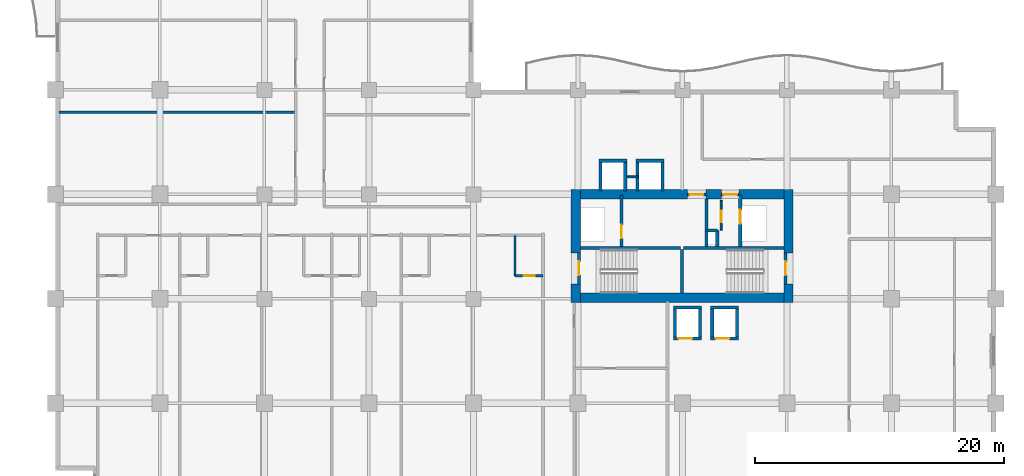
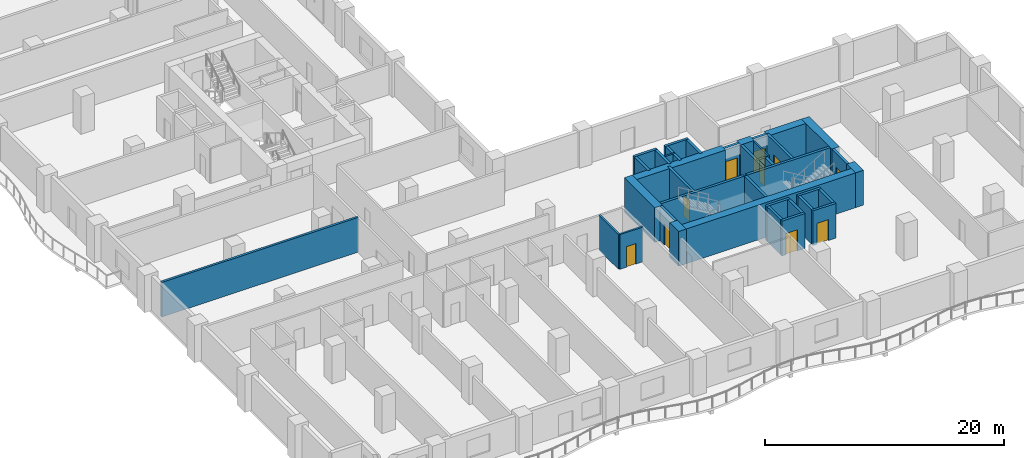
# One storey, part 8 of 20: 39 walls, 10 doors, 10 openings.
"""IFC4 building model written with IfcOpenShell, lengths in metres."""

from ifc_helpers import new_model, si_unit, direction, frame, frame_2d, origin, place, context, subcontext, project, spatial, rectangle, extrude, material, layer, layer_set, type_object, element, fill, save


model = new_model("IFC4")

# Units and contexts
model_context = context("Model", 3, precision=1e-05, world=origin(), true_north=direction((0.0, 1.0)))
body_context = subcontext(model_context, "Body", "Model", "MODEL_VIEW")
ifc_project = project(units=[si_unit("LENGTHUNIT", "METRE"), si_unit("AREAUNIT", "SQUARE_METRE"), si_unit("VOLUMEUNIT", "CUBIC_METRE"), si_unit("PLANEANGLEUNIT", "RADIAN"), si_unit("MASSUNIT", "GRAM", prefix="KILO")], contexts=[model_context])

# Site, building, storey
site_placement = place(None, origin())
site = spatial("IfcSite", under=ifc_project, at=site_placement, CompositionType="ELEMENT")
building_placement = place(site_placement, origin())
building = spatial("IfcBuilding", under=site, at=building_placement, Name="Koriwani Terraces Tower", CompositionType="ELEMENT")
storey_placement = place(building_placement, frame((0.0, 0.0, 126.60009765625)))
storey = spatial("IfcBuildingStorey", under=building, at=storey_placement, Name="L30", CompositionType="ELEMENT", Elevation=126.60009765625)

# Walls
ifc_material_1 = material(Name="Concrete C60/75", Category="concrete")
ifc_layer_1 = layer(ifc_material_1, 0.75, Name="Concrete C60/75")
ifc_layer_set_1 = layer_set([ifc_layer_1], Name="Concrete C60/75")
wall_type_1 = type_object("IfcWallType", Name="WALL_CORE_RC_750", PredefinedType="SHEAR", material=ifc_layer_set_1)
wall_1_placement = place(storey_placement, frame((41.824951171875, 16.5, 0.0), z_axis=(0.0, 0.0, 1.0), x_axis=(0.0, 1.0, 0.0)))
element("IfcWall", 1, at=wall_1_placement, inside=storey, type_object=wall_type_1, Name="L30 East Split Core Shear Wall W1", PredefinedType="SHEAR", context=body_context, shape_type="SweptSolid", body=[
    extrude(rectangle(XDim=1.5, YDim=0.75, at=frame_2d((0.75, 0.0))), origin(), (0.0, 0.0, 1.0), 3.5498046875),
])
wall_2_placement = place(storey_placement, frame((41.824951171875, 20.5, 0.0), z_axis=(0.0, 0.0, 1.0), x_axis=(0.0, 1.0, 0.0)))
element("IfcWall", 2, at=wall_2_placement, inside=storey, type_object=wall_type_1, Name="L30 East Split Core Shear Wall W2", PredefinedType="SHEAR", context=body_context, shape_type="SweptSolid", body=[
    extrude(rectangle(XDim=5.074951171875, YDim=0.75, at=frame_2d((2.53759765625, 0.0))), origin(), (0.0, 0.0, 1.0), 3.5498046875),
])
wall_3_placement = place(storey_placement, frame((58.925048828125, 16.5, 0.0), z_axis=(0.0, 0.0, 1.0), x_axis=(0.0, 1.0, 0.0)))
element("IfcWall", 3, at=wall_3_placement, inside=storey, type_object=wall_type_1, Name="L30 East Split Core Shear Wall E1", PredefinedType="SHEAR", context=body_context, shape_type="SweptSolid", body=[
    extrude(rectangle(XDim=1.5, YDim=0.75, at=frame_2d((0.75, 0.0))), origin(), (0.0, 0.0, 1.0), 3.5498046875),
])
wall_4_placement = place(storey_placement, frame((58.925048828125, 20.5, 0.0), z_axis=(0.0, 0.0, 1.0), x_axis=(0.0, 1.0, 0.0)))
element("IfcWall", 4, at=wall_4_placement, inside=storey, type_object=wall_type_1, Name="L30 East Split Core Shear Wall E2", PredefinedType="SHEAR", context=body_context, shape_type="SweptSolid", body=[
    extrude(rectangle(XDim=5.074951171875, YDim=0.75, at=frame_2d((2.53759765625, 0.0))), origin(), (0.0, 0.0, 1.0), 3.5498046875),
])
wall_5_placement = place(storey_placement, frame((42.199951171875, 16.875, 0.0), z_axis=(0.0, 0.0, 1.0), x_axis=(1.0, 0.0, 0.0)))
element("IfcWall", 5, at=wall_5_placement, inside=storey, type_object=wall_type_1, Name="L30 East Split Core Shear Wall S1", PredefinedType="SHEAR", context=body_context, shape_type="SweptSolid", body=[
    extrude(rectangle(XDim=16.35009765625, YDim=0.75, at=frame_2d((8.175048828125, 0.0))), origin(), (0.0, 0.0, 1.0), 3.5498046875),
])
wall_6_placement = place(storey_placement, frame((42.199951171875, 25.199951171875, 0.0), z_axis=(0.0, 0.0, 1.0), x_axis=(1.0, 0.0, 0.0)))
element("IfcWall", 6, at=wall_6_placement, inside=storey, type_object=wall_type_1, Name="L30 East Split Core Shear Wall N1", PredefinedType="SHEAR", context=body_context, shape_type="SweptSolid", body=[
    extrude(rectangle(XDim=8.60009765625, YDim=0.75, at=frame_2d((4.300048828125, 0.0))), origin(), (0.0, 0.0, 1.0), 3.5498046875),
])
wall_7_placement = place(storey_placement, frame((52.280029296875, 25.199951171875, 0.0), z_axis=(0.0, 0.0, 1.0), x_axis=(1.0, 0.0, 0.0)))
element("IfcWall", 7, at=wall_7_placement, inside=storey, type_object=wall_type_1, Name="L30 East Split Core Shear Wall N2", PredefinedType="SHEAR", context=body_context, shape_type="SweptSolid", body=[
    extrude(rectangle(XDim=1.27001953125, YDim=0.75, at=frame_2d((0.635009765625, 0.0))), origin(), (0.0, 0.0, 1.0), 3.5498046875),
])
wall_8_placement = place(storey_placement, frame((54.949951171875, 25.199951171875, 0.0), z_axis=(0.0, 0.0, 1.0), x_axis=(1.0, 0.0, 0.0)))
element("IfcWall", 8, at=wall_8_placement, inside=storey, type_object=wall_type_1, Name="L30 East Split Core Shear Wall N3", PredefinedType="SHEAR", context=body_context, shape_type="SweptSolid", body=[
    extrude(rectangle(XDim=3.60009765625, YDim=0.75, at=frame_2d((1.800048828125, 0.0))), origin(), (0.0, 0.0, 1.0), 3.5498046875),
])
ifc_material_2 = material(Name="Autoclaved Cellular Concrete Blockwork", Category="masonry")
ifc_layer_2 = layer(ifc_material_2, 0.219970703125, Name="Autoclaved Cellular Concrete Blockwork")
ifc_layer_set_2 = layer_set([ifc_layer_2], Name="Autoclaved Cellular Concrete Blockwork")
wall_type_2 = type_object("IfcWallType", Name="WALL_DEMISING_220", PredefinedType="PARTITIONING", material=ifc_layer_set_2)
wall_9_placement = place(storey_placement, frame((0.300048828125, 31.800048828125, 0.0), z_axis=(0.0, 0.0, 1.0), x_axis=(1.0, 0.0, 0.0)))
element("IfcWall", 9, at=wall_9_placement, inside=storey, type_object=wall_type_2, Name="L30 Interior Wall WC2NWCLM-L30", PredefinedType="PARTITIONING", context=body_context, shape_type="SweptSolid", body=[
    extrude(rectangle(XDim=19.0, YDim=0.219970703125, at=frame_2d((9.5, 0.0))), origin(), (0.0, 0.0, 1.0), 3.5498046875),
])

# Wall, opening, door
ifc_material_3 = material(Name="Fire-Rated Acoustic Gypsum Partition", Category="masonry")
ifc_layer_3 = layer(ifc_material_3, 0.179931640625, Name="Fire-Rated Acoustic Gypsum Partition")
ifc_layer_set_3 = layer_set([ifc_layer_3], Name="Fire-Rated Acoustic Gypsum Partition")
wall_type_3 = type_object("IfcWallType", Name="WALL_PLUMBING_180", PredefinedType="PLUMBINGWALL", material=ifc_layer_set_3)
wall_10_placement = place(storey_placement, frame((36.949951171875, 18.64990234375, 0.0), z_axis=(0.0, 0.0, 1.0), x_axis=(1.0, 0.0, 0.0)))
wall_10 = element("IfcWall", 10, at=wall_10_placement, inside=storey, type_object=wall_type_3, Name="L30 Interior Wall WBTH1-L30-SW-5", PredefinedType="PLUMBINGWALL", context=body_context, shape_type="SweptSolid", body=[
    extrude(rectangle(XDim=2.25, YDim=0.179931640625, at=frame_2d((1.125, 0.0))), origin(), (0.0, 0.0, 1.0), 3.5498046875),
])
opening_1_placement = place(wall_10_placement, frame((0.675048828125, 0.0, 0.0)))
opening_1 = element("IfcOpeningElement", 11, at=opening_1_placement, cuts=wall_10, Name="Opening D-07", PredefinedType="OPENING", context=body_context, shape_type="SweptSolid", body=[
    extrude(rectangle(XDim=0.89990234375, YDim=2.10009765625, at=frame_2d((0.449951171875, 1.050048828125))), frame((0.0, 0.10009765625, 0.0), z_axis=(0.0, -1.0, 0.0), x_axis=(1.0, 0.0, 0.0)), (0.0, 0.0, 1.0), 0.199951171875),
])
ifc_material_4 = material(Name="Architectural Oak Fire Door", Category="wood")
door_type_1 = type_object("IfcDoorType", Name="DOOR_BATH_INT_900X2100", OperationType="NOTDEFINED", PredefinedType="DOOR", material=ifc_material_4)
door_1_placement = place(opening_1_placement, origin())
door_1 = element("IfcDoor", 12, at=door_1_placement, inside=storey, type_object=door_type_1, Name="En-Suite Bathroom 30SW6 Door", OperationType="SINGLE_SWING_LEFT", OverallHeight=2.10009765625, OverallWidth=0.89990234375, PredefinedType="DOOR", context=body_context, shape_type="SweptSolid", body=[
    extrude(rectangle(XDim=0.89990234375, YDim=2.10009765625, at=frame_2d((0.449951171875, 1.050048828125))), frame((0.0, 0.02490234375, 0.0), z_axis=(0.0, -1.0, 0.0), x_axis=(1.0, 0.0, 0.0)), (0.0, 0.0, 1.0), 0.050048828125),
])
fill(opening_1, door_1)

# Walls
wall_11_placement = place(storey_placement, frame((36.949951171875, 18.64990234375, 0.0), z_axis=(0.0, 0.0, 1.0), x_axis=(0.0, 1.0, 0.0)))
element("IfcWall", 13, at=wall_11_placement, inside=storey, type_object=wall_type_3, Name="L30 Interior Wall WBTH2-L30-SW-5", PredefinedType="PLUMBINGWALL", context=body_context, shape_type="SweptSolid", body=[
    extrude(rectangle(XDim=3.25, YDim=0.179931640625, at=frame_2d((1.625, 0.0))), origin(), (0.0, 0.0, 1.0), 3.5498046875),
])
ifc_material_5 = material(Name="Concrete C40/50", Category="concrete")
ifc_layer_4 = layer(ifc_material_5, 0.25, Name="Concrete C40/50")
ifc_layer_set_4 = layer_set([ifc_layer_4], Name="Concrete C40/50")
wall_type_4 = type_object("IfcWallType", Name="WALL_SHAFT_RATED_250", PredefinedType="SOLIDWALL", material=ifc_layer_set_4)
for number, where, z_axis, x_axis, name in (
    (14, (42.199951171875, 20.875, 0.0), (0.0, 0.0, 1.0), (1.0, 0.0, 0.0), "L30 East Split Core Web Wall MID1"),
    (15, (50.5, 20.875, 0.0), (0.0, 0.0, 1.0), (1.0, 0.0, 0.0), "L30 East Split Core Web Wall MID2"),
):
    element("IfcWall", number, at=place(storey_placement, frame(where, z_axis=z_axis, x_axis=x_axis)), inside=storey, type_object=wall_type_4, Name=name, PredefinedType="SOLIDWALL", context=body_context, shape_type="SweptSolid", body=[
        extrude(rectangle(XDim=8.050048828125, YDim=0.25, at=frame_2d((4.02490234375, 0.0))), origin(), (0.0, 0.0, 1.0), 3.5498046875),
    ])
wall_12_placement = place(storey_placement, frame((50.375, 17.25, 0.0), z_axis=(0.0, 0.0, 1.0), x_axis=(0.0, 1.0, 0.0)))
element("IfcWall", 16, at=wall_12_placement, inside=storey, type_object=wall_type_4, Name="L30 East Split Core Stair Dividing Wall", PredefinedType="SOLIDWALL", context=body_context, shape_type="SweptSolid", body=[
    extrude(rectangle(XDim=3.5, YDim=0.25, at=frame_2d((1.75, 0.0))), origin(), (0.0, 0.0, 1.0), 3.5498046875),
])

# Wall, opening, door
wall_13_placement = place(storey_placement, frame((42.074951171875, 18.0, 0.0), z_axis=(0.0, 0.0, 1.0), x_axis=(0.0, 1.0, 0.0)))
wall_13 = element("IfcWall", 17, at=wall_13_placement, inside=storey, type_object=wall_type_4, Name="L30 Interior Wall WIN-CE-L30-STW", PredefinedType="SOLIDWALL", context=body_context, shape_type="SweptSolid", body=[
    extrude(rectangle(XDim=2.5, YDim=0.25, at=frame_2d((1.25, 0.0))), origin(), (0.0, 0.0, 1.0), 3.5498046875),
])
opening_2_placement = place(wall_13_placement, frame((0.699951171875, 0.0, 0.0)))
opening_2 = element("IfcOpeningElement", 18, at=opening_2_placement, cuts=wall_13, Name="Opening D-03", PredefinedType="OPENING", context=body_context, shape_type="SweptSolid", body=[
    extrude(rectangle(XDim=1.10009765625, YDim=2.14990234375, at=frame_2d((0.550048828125, 1.074951171875))), frame((0.0, 0.135009765625, 0.0), z_axis=(0.0, -1.0, 0.0), x_axis=(1.0, 0.0, 0.0)), (0.0, 0.0, 1.0), 0.27001953125),
])
ifc_material_6 = material(Name="Steel ASTM A572 Grade 50", Category="steel")
door_type_2 = type_object("IfcDoorType", Name="DOOR_STAIR_FIRE_1100X2150", OperationType="NOTDEFINED", PredefinedType="DOOR", material=ifc_material_6)
door_2_placement = place(opening_2_placement, origin())
door_2 = element("IfcDoor", 19, at=door_2_placement, inside=storey, type_object=door_type_2, Name="L30 Exit Stair ST-E1 Door", OperationType="SINGLE_SWING_LEFT", OverallHeight=2.14990234375, OverallWidth=1.10009765625, PredefinedType="DOOR", context=body_context, shape_type="SweptSolid", body=[
    extrude(rectangle(XDim=1.10009765625, YDim=2.14990234375, at=frame_2d((0.550048828125, 1.074951171875))), frame((0.0, 0.02490234375, 0.0), z_axis=(0.0, -1.0, 0.0), x_axis=(1.0, 0.0, 0.0)), (0.0, 0.0, 1.0), 0.050048828125),
])
fill(opening_2, door_2)

wall_14_placement = place(storey_placement, frame((58.675048828125, 18.0, 0.0), z_axis=(0.0, 0.0, 1.0), x_axis=(0.0, 1.0, 0.0)))
wall_14 = element("IfcWall", 20, at=wall_14_placement, inside=storey, type_object=wall_type_4, Name="L30 Interior Wall WIN-CE-L30-STE", PredefinedType="SOLIDWALL", context=body_context, shape_type="SweptSolid", body=[
    extrude(rectangle(XDim=2.5, YDim=0.25, at=frame_2d((1.25, 0.0))), origin(), (0.0, 0.0, 1.0), 3.5498046875),
])
opening_3_placement = place(wall_14_placement, frame((0.699951171875, 0.0, 0.0)))
opening_3 = element("IfcOpeningElement", 21, at=opening_3_placement, cuts=wall_14, Name="Opening D-03", PredefinedType="OPENING", context=body_context, shape_type="SweptSolid", body=[
    extrude(rectangle(XDim=1.10009765625, YDim=2.14990234375, at=frame_2d((0.550048828125, 1.074951171875))), frame((0.0, 0.135009765625, 0.0), z_axis=(0.0, -1.0, 0.0), x_axis=(1.0, 0.0, 0.0)), (0.0, 0.0, 1.0), 0.27001953125),
])
door_3_placement = place(opening_3_placement, origin())
door_3 = element("IfcDoor", 22, at=door_3_placement, inside=storey, type_object=door_type_2, Name="L30 Exit Stair ST-E2 Door", OperationType="SINGLE_SWING_RIGHT", OverallHeight=2.14990234375, OverallWidth=1.10009765625, PredefinedType="DOOR", context=body_context, shape_type="SweptSolid", body=[
    extrude(rectangle(XDim=1.10009765625, YDim=2.14990234375, at=frame_2d((0.550048828125, 1.074951171875))), frame((0.0, 0.02490234375, 0.0), z_axis=(0.0, -1.0, 0.0), x_axis=(1.0, 0.0, 0.0)), (0.0, 0.0, 1.0), 0.050048828125),
])
fill(opening_3, door_3)

wall_15_placement = place(storey_placement, frame((45.5, 21.0, 0.0), z_axis=(0.0, 0.0, 1.0), x_axis=(0.0, 1.0, 0.0)))
wall_15 = element("IfcWall", 23, at=wall_15_placement, inside=storey, type_object=wall_type_4, Name="L30 Interior Wall WIN-CE-L30-FE", PredefinedType="SOLIDWALL", context=body_context, shape_type="SweptSolid", body=[
    extrude(rectangle(XDim=4.14990234375, YDim=0.25, at=frame_2d((2.074951171875, 0.0))), origin(), (0.0, 0.0, 1.0), 3.5498046875),
])
opening_4_placement = place(wall_15_placement, frame((0.64990234375, 0.0, 0.0)))
opening_4 = element("IfcOpeningElement", 24, at=opening_4_placement, cuts=wall_15, Name="Opening LD-01", PredefinedType="OPENING", context=body_context, shape_type="SweptSolid", body=[
    extrude(rectangle(XDim=1.10009765625, YDim=2.14990234375, at=frame_2d((0.550048828125, 1.074951171875))), frame((0.0, 0.135009765625, 0.0), z_axis=(0.0, -1.0, 0.0), x_axis=(1.0, 0.0, 0.0)), (0.0, 0.0, 1.0), 0.27001953125),
])
door_type_3 = type_object("IfcDoorType", Name="DOOR_LIFT_LANDING_1100X2200", OperationType="NOTDEFINED", PredefinedType="DOOR", material=ifc_material_6)
door_4_placement = place(opening_4_placement, origin())
door_4 = element("IfcDoor", 25, at=door_4_placement, inside=storey, type_object=door_type_3, Name="L30 Firefighting Lift FE-02 Landing Door", OperationType="SLIDING_TO_LEFT", OverallHeight=2.14990234375, OverallWidth=1.10009765625, PredefinedType="DOOR", context=body_context, shape_type="SweptSolid", body=[
    extrude(rectangle(XDim=1.10009765625, YDim=2.14990234375, at=frame_2d((0.550048828125, 1.074951171875))), frame((0.0, 0.02490234375, 0.0), z_axis=(0.0, -1.0, 0.0), x_axis=(1.0, 0.0, 0.0)), (0.0, 0.0, 1.0), 0.050048828125),
])
fill(opening_4, door_4)

wall_16_placement = place(storey_placement, frame((50.800048828125, 25.199951171875, 0.0), z_axis=(0.0, 0.0, 1.0), x_axis=(1.0, 0.0, 0.0)))
wall_16 = element("IfcWall", 26, at=wall_16_placement, inside=storey, type_object=wall_type_4, Name="L30 Interior Wall WIN-CE-L30-NP", PredefinedType="SOLIDWALL", context=body_context, shape_type="SweptSolid", body=[
    extrude(rectangle(XDim=1.47998046875, YDim=0.25, at=frame_2d((0.739990234375, 0.0))), origin(), (0.0, 0.0, 1.0), 3.5498046875),
])
opening_5_placement = place(wall_16_placement, frame((0.179931640625, 0.0, 0.0)))
opening_5 = element("IfcOpeningElement", 27, at=opening_5_placement, cuts=wall_16, Name="Opening D-03", PredefinedType="OPENING", context=body_context, shape_type="SweptSolid", body=[
    extrude(rectangle(XDim=1.10009765625, YDim=2.14990234375, at=frame_2d((0.550048828125, 1.074951171875))), frame((0.0, 0.135009765625, 0.0), z_axis=(0.0, -1.0, 0.0), x_axis=(1.0, 0.0, 0.0)), (0.0, 0.0, 1.0), 0.27001953125),
])
door_5_placement = place(opening_5_placement, origin())
door_5 = element("IfcDoor", 28, at=door_5_placement, inside=storey, type_object=door_type_2, Name="L30 East Firefighting Lobby Door", OperationType="SINGLE_SWING_LEFT", OverallHeight=2.14990234375, OverallWidth=1.10009765625, PredefinedType="DOOR", context=body_context, shape_type="SweptSolid", body=[
    extrude(rectangle(XDim=1.10009765625, YDim=2.14990234375, at=frame_2d((0.550048828125, 1.074951171875))), frame((0.0, 0.02490234375, 0.0), z_axis=(0.0, -1.0, 0.0), x_axis=(1.0, 0.0, 0.0)), (0.0, 0.0, 1.0), 0.050048828125),
])
fill(opening_5, door_5)

# Wall
wall_17_placement = place(storey_placement, frame((52.340087890625, 21.0, 0.0), z_axis=(0.0, 0.0, 1.0), x_axis=(0.0, 1.0, 0.0)))
element("IfcWall", 29, at=wall_17_placement, inside=storey, type_object=wall_type_4, Name="L30 Interior Wall WIN-CE-L30-FFE", PredefinedType="SOLIDWALL", context=body_context, shape_type="SweptSolid", body=[
    extrude(rectangle(XDim=3.824951171875, YDim=0.25, at=frame_2d((1.91259765625, 0.0))), origin(), (0.0, 0.0, 1.0), 3.5498046875),
])

# Wall, opening, door
wall_18_placement = place(storey_placement, frame((55.050048828125, 21.0, 0.0), z_axis=(0.0, 0.0, 1.0), x_axis=(0.0, 1.0, 0.0)))
wall_18 = element("IfcWall", 30, at=wall_18_placement, inside=storey, type_object=wall_type_4, Name="L30 Interior Wall WIN-CE-L30-SE", PredefinedType="SOLIDWALL", context=body_context, shape_type="SweptSolid", body=[
    extrude(rectangle(XDim=4.14990234375, YDim=0.25, at=frame_2d((2.074951171875, 0.0))), origin(), (0.0, 0.0, 1.0), 3.5498046875),
])
opening_6_placement = place(wall_18_placement, frame((1.85009765625, 0.0, 0.0)))
opening_6 = element("IfcOpeningElement", 31, at=opening_6_placement, cuts=wall_18, Name="Opening LD-01", PredefinedType="OPENING", context=body_context, shape_type="SweptSolid", body=[
    extrude(rectangle(XDim=1.10009765625, YDim=2.14990234375, at=frame_2d((0.550048828125, 1.074951171875))), frame((0.0, 0.135009765625, 0.0), z_axis=(0.0, -1.0, 0.0), x_axis=(1.0, 0.0, 0.0)), (0.0, 0.0, 1.0), 0.27001953125),
])
door_6_placement = place(opening_6_placement, origin())
door_6 = element("IfcDoor", 32, at=door_6_placement, inside=storey, type_object=door_type_3, Name="L30 Goods Lift SE-02 Landing Door", OperationType="SLIDING_TO_LEFT", OverallHeight=2.14990234375, OverallWidth=1.10009765625, PredefinedType="DOOR", context=body_context, shape_type="SweptSolid", body=[
    extrude(rectangle(XDim=1.10009765625, YDim=2.14990234375, at=frame_2d((0.550048828125, 1.074951171875))), frame((0.0, 0.02490234375, 0.0), z_axis=(0.0, -1.0, 0.0), x_axis=(1.0, 0.0, 0.0)), (0.0, 0.0, 1.0), 0.050048828125),
])
fill(opening_6, door_6)

wall_19_placement = place(storey_placement, frame((53.550048828125, 25.199951171875, 0.0), z_axis=(0.0, 0.0, 1.0), x_axis=(1.0, 0.0, 0.0)))
wall_19 = element("IfcWall", 33, at=wall_19_placement, inside=storey, type_object=wall_type_4, Name="L30 Interior Wall WIN-CE-L30-NP2", PredefinedType="SOLIDWALL", context=body_context, shape_type="SweptSolid", body=[
    extrude(rectangle(XDim=1.39990234375, YDim=0.25, at=frame_2d((0.699951171875, 0.0))), origin(), (0.0, 0.0, 1.0), 3.5498046875),
])
opening_7_placement = place(wall_19_placement, frame((0.14990234375, 0.0, 0.0)))
opening_7 = element("IfcOpeningElement", 34, at=opening_7_placement, cuts=wall_19, Name="Opening D-03", PredefinedType="OPENING", context=body_context, shape_type="SweptSolid", body=[
    extrude(rectangle(XDim=1.10009765625, YDim=2.14990234375, at=frame_2d((0.550048828125, 1.074951171875))), frame((0.0, 0.135009765625, 0.0), z_axis=(0.0, -1.0, 0.0), x_axis=(1.0, 0.0, 0.0)), (0.0, 0.0, 1.0), 0.27001953125),
])
door_7_placement = place(opening_7_placement, origin())
door_7 = element("IfcDoor", 35, at=door_7_placement, inside=storey, type_object=door_type_2, Name="L30 East Goods Lift Lobby Door", OperationType="SINGLE_SWING_RIGHT", OverallHeight=2.14990234375, OverallWidth=1.10009765625, PredefinedType="DOOR", context=body_context, shape_type="SweptSolid", body=[
    extrude(rectangle(XDim=1.10009765625, YDim=2.14990234375, at=frame_2d((0.550048828125, 1.074951171875))), frame((0.0, 0.02490234375, 0.0), z_axis=(0.0, -1.0, 0.0), x_axis=(1.0, 0.0, 0.0)), (0.0, 0.0, 1.0), 0.050048828125),
])
fill(opening_7, door_7)

# Walls
wall_20_placement = place(storey_placement, frame((53.199951171875, 21.0, 0.0), z_axis=(0.0, 0.0, 1.0), x_axis=(0.0, 1.0, 0.0)))
element("IfcWall", 36, at=wall_20_placement, inside=storey, type_object=wall_type_4, Name="L30 Interior Wall WIN-CE-L30-RS1", PredefinedType="SOLIDWALL", context=body_context, shape_type="SweptSolid", body=[
    extrude(rectangle(XDim=1.300048828125, YDim=0.25, at=frame_2d((0.64990234375, 0.0))), origin(), (0.0, 0.0, 1.0), 3.5498046875),
])
wall_21_placement = place(storey_placement, frame((52.360107421875, 22.300048828125, 0.0), z_axis=(0.0, 0.0, 1.0), x_axis=(1.0, 0.0, 0.0)))
element("IfcWall", 37, at=wall_21_placement, inside=storey, type_object=wall_type_4, Name="L30 Interior Wall WIN-CE-L30-RS2", PredefinedType="SOLIDWALL", context=body_context, shape_type="SweptSolid", body=[
    extrude(rectangle(XDim=0.83984375, YDim=0.25, at=frame_2d((0.419921875, 0.0))), origin(), (0.0, 0.0, 1.0), 3.5498046875),
])

# Wall, opening, door
wall_22_placement = place(storey_placement, frame((49.675048828125, 13.60009765625, 0.0), z_axis=(0.0, 0.0, 1.0), x_axis=(1.0, 0.0, 0.0)))
wall_22 = element("IfcWall", 38, at=wall_22_placement, inside=storey, type_object=wall_type_4, Name="L30 Interior Wall WIN-LF-PE-M3-L30-F", PredefinedType="SOLIDWALL", context=body_context, shape_type="SweptSolid", body=[
    extrude(rectangle(XDim=2.25, YDim=0.25, at=frame_2d((1.125, 0.0))), origin(), (0.0, 0.0, 1.0), 3.5498046875),
])
opening_8_placement = place(wall_22_placement, frame((0.39990234375, 0.0, 0.0)))
opening_8 = element("IfcOpeningElement", 39, at=opening_8_placement, cuts=wall_22, Name="Opening LD-01", PredefinedType="OPENING", context=body_context, shape_type="SweptSolid", body=[
    extrude(rectangle(XDim=1.10009765625, YDim=2.14990234375, at=frame_2d((0.550048828125, 1.074951171875))), frame((0.0, 0.135009765625, 0.0), z_axis=(0.0, -1.0, 0.0), x_axis=(1.0, 0.0, 0.0)), (0.0, 0.0, 1.0), 0.27001953125),
])
door_8_placement = place(opening_8_placement, origin())
door_8 = element("IfcDoor", 40, at=door_8_placement, inside=storey, type_object=door_type_3, Name="L30 Passenger Lift PE-M3 Landing Door", OperationType="SLIDING_TO_LEFT", OverallHeight=2.14990234375, OverallWidth=1.10009765625, PredefinedType="DOOR", context=body_context, shape_type="SweptSolid", body=[
    extrude(rectangle(XDim=1.10009765625, YDim=2.14990234375, at=frame_2d((0.550048828125, 1.074951171875))), frame((0.0, 0.02490234375, 0.0), z_axis=(0.0, -1.0, 0.0), x_axis=(1.0, 0.0, 0.0)), (0.0, 0.0, 1.0), 0.050048828125),
])
fill(opening_8, door_8)

# Walls
for number, where, z_axis, x_axis, name in (
    (41, (49.675048828125, 16.10009765625, 0.0), (0.0, 0.0, 1.0), (1.0, 0.0, 0.0), "L30 Interior Wall WIN-LF-PE-M3-L30-B"),
    (42, (49.800048828125, 13.72509765625, 0.0), (0.0, 0.0, 1.0), (0.0, 1.0, 0.0), "L30 Interior Wall WIN-LF-PE-M3-L30-W"),
    (43, (51.800048828125, 13.72509765625, 0.0), (0.0, 0.0, 1.0), (0.0, 1.0, 0.0), "L30 Interior Wall WIN-LF-PE-M3-L30-E"),
):
    element("IfcWall", number, at=place(storey_placement, frame(where, z_axis=z_axis, x_axis=x_axis)), inside=storey, type_object=wall_type_4, Name=name, PredefinedType="SOLIDWALL", context=body_context, shape_type="SweptSolid", body=[
        extrude(rectangle(XDim=2.25, YDim=0.25, at=frame_2d((1.125, 0.0))), origin(), (0.0, 0.0, 1.0), 3.5498046875),
    ])

# Wall, opening, door
wall_23_placement = place(storey_placement, frame((52.675048828125, 13.60009765625, 0.0), z_axis=(0.0, 0.0, 1.0), x_axis=(1.0, 0.0, 0.0)))
wall_23 = element("IfcWall", 44, at=wall_23_placement, inside=storey, type_object=wall_type_4, Name="L30 Interior Wall WIN-LF-PE-M4-L30-F", PredefinedType="SOLIDWALL", context=body_context, shape_type="SweptSolid", body=[
    extrude(rectangle(XDim=2.25, YDim=0.25, at=frame_2d((1.125, 0.0))), origin(), (0.0, 0.0, 1.0), 3.5498046875),
])
opening_9_placement = place(wall_23_placement, frame((0.39990234375, 0.0, 0.0)))
opening_9 = element("IfcOpeningElement", 45, at=opening_9_placement, cuts=wall_23, Name="Opening LD-01", PredefinedType="OPENING", context=body_context, shape_type="SweptSolid", body=[
    extrude(rectangle(XDim=1.10009765625, YDim=2.14990234375, at=frame_2d((0.550048828125, 1.074951171875))), frame((0.0, 0.135009765625, 0.0), z_axis=(0.0, -1.0, 0.0), x_axis=(1.0, 0.0, 0.0)), (0.0, 0.0, 1.0), 0.27001953125),
])
door_9_placement = place(opening_9_placement, origin())
door_9 = element("IfcDoor", 46, at=door_9_placement, inside=storey, type_object=door_type_3, Name="L30 Passenger Lift PE-M4 Landing Door", OperationType="SLIDING_TO_LEFT", OverallHeight=2.14990234375, OverallWidth=1.10009765625, PredefinedType="DOOR", context=body_context, shape_type="SweptSolid", body=[
    extrude(rectangle(XDim=1.10009765625, YDim=2.14990234375, at=frame_2d((0.550048828125, 1.074951171875))), frame((0.0, 0.02490234375, 0.0), z_axis=(0.0, -1.0, 0.0), x_axis=(1.0, 0.0, 0.0)), (0.0, 0.0, 1.0), 0.050048828125),
])
fill(opening_9, door_9)

# Walls
for number, where, z_axis, x_axis, name in (
    (47, (52.675048828125, 16.10009765625, 0.0), (0.0, 0.0, 1.0), (1.0, 0.0, 0.0), "L30 Interior Wall WIN-LF-PE-M4-L30-B"),
    (48, (52.800048828125, 13.72509765625, 0.0), (0.0, 0.0, 1.0), (0.0, 1.0, 0.0), "L30 Interior Wall WIN-LF-PE-M4-L30-W"),
    (49, (54.800048828125, 13.72509765625, 0.0), (0.0, 0.0, 1.0), (0.0, 1.0, 0.0), "L30 Interior Wall WIN-LF-PE-M4-L30-E"),
    (50, (43.675048828125, 27.89990234375, 0.0), (0.0, 0.0, 1.0), (1.0, 0.0, 0.0), "L30 Interior Wall WIN-LF-PE-H3-L30-F"),
):
    element("IfcWall", number, at=place(storey_placement, frame(where, z_axis=z_axis, x_axis=x_axis)), inside=storey, type_object=wall_type_4, Name=name, PredefinedType="SOLIDWALL", context=body_context, shape_type="SweptSolid", body=[
        extrude(rectangle(XDim=2.25, YDim=0.25, at=frame_2d((1.125, 0.0))), origin(), (0.0, 0.0, 1.0), 3.5498046875),
    ])
for number, where, z_axis, x_axis, name in (
    (51, (43.800048828125, 25.449951171875, 0.0), (0.0, 0.0, 1.0), (0.0, 1.0, 0.0), "L30 Interior Wall WIN-LF-PE-H3-L30-W"),
    (52, (45.800048828125, 25.449951171875, 0.0), (0.0, 0.0, 1.0), (0.0, 1.0, 0.0), "L30 Interior Wall WIN-LF-PE-H3-L30-E"),
):
    element("IfcWall", number, at=place(storey_placement, frame(where, z_axis=z_axis, x_axis=x_axis)), inside=storey, type_object=wall_type_4, Name=name, PredefinedType="SOLIDWALL", context=body_context, shape_type="SweptSolid", body=[
        extrude(rectangle(XDim=2.324951171875, YDim=0.25, at=frame_2d((1.16259765625, 0.0))), origin(), (0.0, 0.0, 1.0), 3.5498046875),
    ])
wall_24_placement = place(storey_placement, frame((46.675048828125, 27.89990234375, 0.0), z_axis=(0.0, 0.0, 1.0), x_axis=(1.0, 0.0, 0.0)))
element("IfcWall", 53, at=wall_24_placement, inside=storey, type_object=wall_type_4, Name="L30 Interior Wall WIN-LF-PE-H4-L30-F", PredefinedType="SOLIDWALL", context=body_context, shape_type="SweptSolid", body=[
    extrude(rectangle(XDim=2.25, YDim=0.25, at=frame_2d((1.125, 0.0))), origin(), (0.0, 0.0, 1.0), 3.5498046875),
])
for number, where, z_axis, x_axis, name in (
    (54, (46.800048828125, 25.449951171875, 0.0), (0.0, 0.0, 1.0), (0.0, 1.0, 0.0), "L30 Interior Wall WIN-LF-PE-H4-L30-W"),
    (55, (48.800048828125, 25.449951171875, 0.0), (0.0, 0.0, 1.0), (0.0, 1.0, 0.0), "L30 Interior Wall WIN-LF-PE-H4-L30-E"),
):
    element("IfcWall", number, at=place(storey_placement, frame(where, z_axis=z_axis, x_axis=x_axis)), inside=storey, type_object=wall_type_4, Name=name, PredefinedType="SOLIDWALL", context=body_context, shape_type="SweptSolid", body=[
        extrude(rectangle(XDim=2.324951171875, YDim=0.25, at=frame_2d((1.16259765625, 0.0))), origin(), (0.0, 0.0, 1.0), 3.5498046875),
    ])

# Wall, opening, door
ifc_layer_5 = layer(ifc_material_3, 0.159912109375, Name="Fire-Rated Acoustic Gypsum Partition")
ifc_layer_set_5 = layer_set([ifc_layer_5], Name="Fire-Rated Acoustic Gypsum Partition")
wall_type_5 = type_object("IfcWallType", Name="WALL_SUITE_160", PredefinedType="PARTITIONING", material=ifc_layer_set_5)
wall_25_placement = place(storey_placement, frame((53.52001953125, 22.320068359375, 0.0), z_axis=(0.0, 0.0, 1.0), x_axis=(0.0, 1.0, 0.0)))
wall_25 = element("IfcWall", 56, at=wall_25_placement, inside=storey, type_object=wall_type_5, Name="L30 Interior Wall WIN-CE-L30-SV0", PredefinedType="PARTITIONING", context=body_context, shape_type="SweptSolid", body=[
    extrude(rectangle(XDim=2.39990234375, YDim=0.159912109375, at=frame_2d((1.199951171875, 0.0))), origin(), (0.0, 0.0, 1.0), 3.5498046875),
])
opening_10_placement = place(wall_25_placement, frame((0.64990234375, 0.0, 0.0)))
opening_10 = element("IfcOpeningElement", 57, at=opening_10_placement, cuts=wall_25, Name="Opening D-07", PredefinedType="OPENING", context=body_context, shape_type="SweptSolid", body=[
    extrude(rectangle(XDim=0.89990234375, YDim=2.10009765625, at=frame_2d((0.449951171875, 1.050048828125))), frame((0.0, 0.08984375, 0.0), z_axis=(0.0, -1.0, 0.0), x_axis=(1.0, 0.0, 0.0)), (0.0, 0.0, 1.0), 0.179931640625),
])
door_10_placement = place(opening_10_placement, origin())
door_10 = element("IfcDoor", 58, at=door_10_placement, inside=storey, type_object=door_type_1, Name="L30 East Electrical Switch Room Door", OperationType="SINGLE_SWING_LEFT", OverallHeight=2.10009765625, OverallWidth=0.89990234375, PredefinedType="DOOR", context=body_context, shape_type="SweptSolid", body=[
    extrude(rectangle(XDim=0.89990234375, YDim=2.10009765625, at=frame_2d((0.449951171875, 1.050048828125))), frame((0.0, 0.02490234375, 0.0), z_axis=(0.0, -1.0, 0.0), x_axis=(1.0, 0.0, 0.0)), (0.0, 0.0, 1.0), 0.050048828125),
])
fill(opening_10, door_10)

# Wall
wall_26_placement = place(storey_placement, frame((45.9599609375, 26.60009765625, 0.0), z_axis=(0.0, 0.0, 1.0), x_axis=(1.0, 0.0, 0.0)))
element("IfcWall", 59, at=wall_26_placement, inside=storey, type_object=wall_type_5, Name="L30 Interior Wall WIN-LF-PEH34-MID-L30", PredefinedType="PARTITIONING", context=body_context, shape_type="SweptSolid", body=[
    extrude(rectangle(XDim=0.880126953125, YDim=0.159912109375, at=frame_2d((0.43994140625, 0.0))), origin(), (0.0, 0.0, 1.0), 3.5498046875),
])

save(model, "model.ifc")
